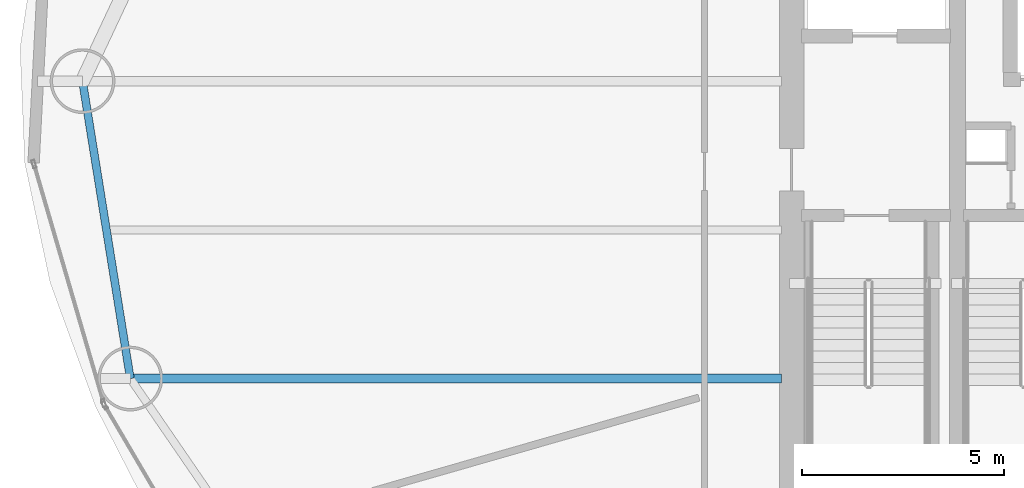
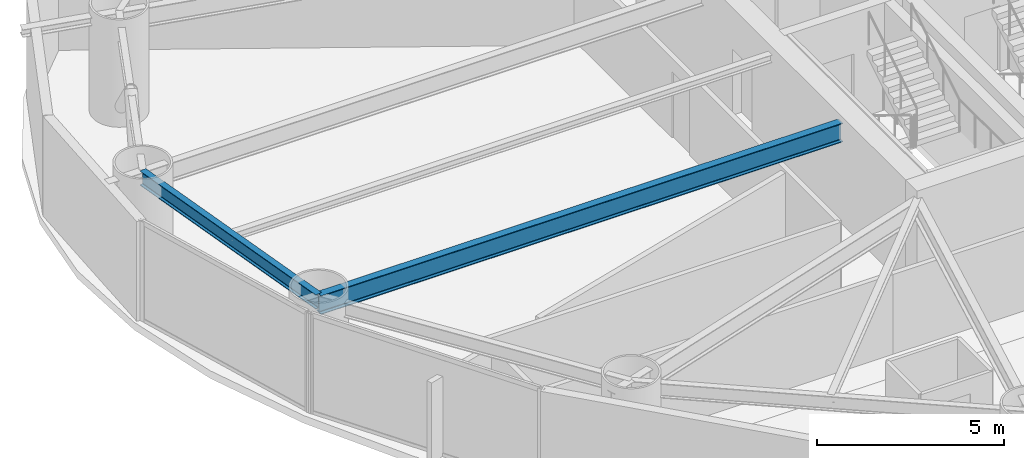
# One storey, part 5 of 30: 2 beams.
"""IFC4 building model written with IfcOpenShell, lengths in metres."""

from ifc_helpers import new_model, si_unit, direction, frame, origin, origin_2d, place, context, subcontext, project, spatial, i_section, extrude, material, material_profile, profile_set, type_object, element, save


model = new_model("IFC4")

# Units and contexts
model_context = context("Model", 3, precision=1e-05, world=origin(), true_north=direction((0.0, 1.0)))
body_context = subcontext(model_context, "Body", "Model", "MODEL_VIEW")
ifc_project = project(units=[si_unit("LENGTHUNIT", "METRE"), si_unit("AREAUNIT", "SQUARE_METRE"), si_unit("VOLUMEUNIT", "CUBIC_METRE"), si_unit("PLANEANGLEUNIT", "RADIAN"), si_unit("MASSUNIT", "GRAM", prefix="KILO")], contexts=[model_context])

# Site, building, storey
site_placement = place(None, origin())
site = spatial("IfcSite", under=ifc_project, at=site_placement, CompositionType="ELEMENT")
building_placement = place(site_placement, origin())
building = spatial("IfcBuilding", under=site, at=building_placement, Name="Bramvorn Convention Spire", CompositionType="ELEMENT")
storey_placement = place(building_placement, frame((0.0, 0.0, 90.39990234375)))
storey = spatial("IfcBuildingStorey", under=building, at=storey_placement, Name="L21", CompositionType="ELEMENT", Elevation=90.39990234375)

# Beams
ifc_material = material(Name="Steel CSA G40.21 Grade 350 (350W)", Category="steel")
ifc_material_profile_1 = material_profile(ifc_material, i_section(OverallWidth=0.194091796875, OverallDepth=0.468994140625, WebThickness=0.0126953125, FlangeThickness=0.0205078125, FilletRadius=0.01806640625, at=origin_2d()))
ifc_profile_set_1 = profile_set([ifc_material_profile_1], Name="Steel CSA G40.21 Grade 350 (350W) - W460X106")
beam_type_1 = type_object("IfcBeamType", Name="BM-W460X106", PredefinedType="SPANDREL", material=ifc_profile_set_1)
beam_1_placement = place(storey_placement, frame((9.480224609375, 30.00830078125, 3.015625), z_axis=(0.158699222824, -0.987326975563, 0.0), x_axis=(0.987326975563, 0.158699222824, 0.0)))
element("IfcBeam", 1, at=beam_1_placement, inside=storey, type_object=beam_type_1, Name="L21 mega-column ring beam 09", PredefinedType="SPANDREL", context=body_context, shape_type="SweptSolid", body=[
    extrude(i_section(OverallWidth=0.194091796875, OverallDepth=0.468994140625, WebThickness=0.0126953125, FlangeThickness=0.0205078125, FilletRadius=0.01806640625, at=origin_2d()), origin(), (0.0, 0.0, 1.0), 7.442626953125),
])
ifc_material_profile_2 = material_profile(ifc_material, i_section(OverallWidth=0.22998046875, OverallDepth=0.616943359375, WebThickness=0.01318359375, FlangeThickness=0.022216796875, FilletRadius=0.02001953125, at=origin_2d()))
ifc_profile_set_2 = profile_set([ifc_material_profile_2], Name="Steel CSA G40.21 Grade 350 (350W) - W610X140")
beam_type_2 = type_object("IfcBeamType", Name="BM-W610X140", PredefinedType="BEAM", material=ifc_profile_set_2)
beam_2_placement = place(storey_placement, frame((26.75, 22.659912109375, 2.941650390625), z_axis=(-1.0, 0.0, 0.0), x_axis=(0.0, -1.0, 0.0)))
element("IfcBeam", 2, at=beam_2_placement, inside=storey, type_object=beam_type_2, Name="L21 radial floor girder MC10", PredefinedType="BEAM", context=body_context, shape_type="SweptSolid", body=[
    extrude(i_section(OverallWidth=0.22998046875, OverallDepth=0.616943359375, WebThickness=0.01318359375, FlangeThickness=0.022216796875, FilletRadius=0.02001953125, at=origin_2d()), origin(), (0.0, 0.0, 1.0), 16.088623046875),
])

save(model, "model.ifc")
